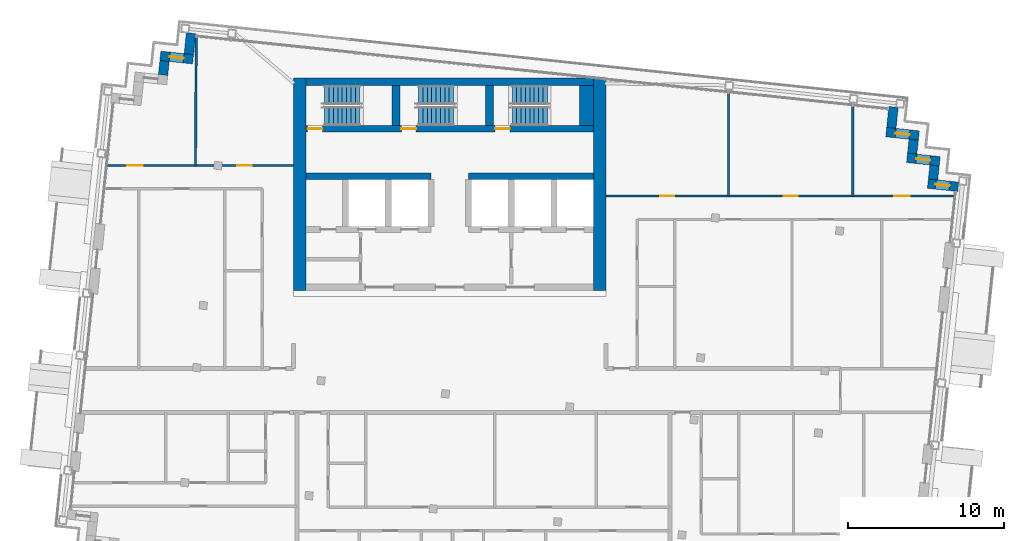
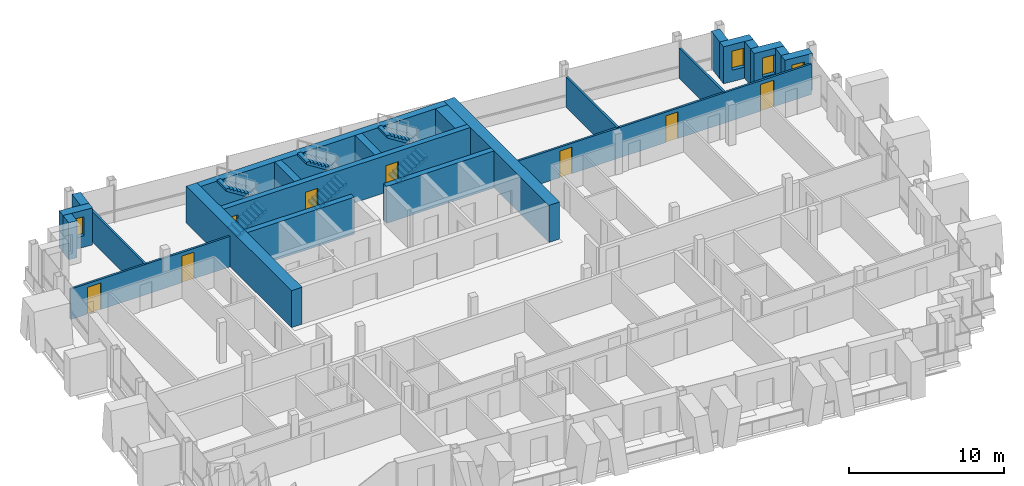
# One storey, part 12 of 16: 23 walls, 8 doors, 6 stair flights, 4 windows, 12 openings, 3 elements without a shape of their own.
"""IFC4 building model written with IfcOpenShell, lengths in metres."""

from ifc_helpers import new_model, si_unit, direction, frame, frame_2d, origin, place, context, subcontext, project, spatial, polyline, rectangle, outline, extrude, material, layer, layer_set, type_object, element, fill, aggregate, save


model = new_model("IFC4")

# Units and contexts
model_context = context("Model", 3, precision=1e-05, world=origin(), true_north=direction((0.0, 1.0)))
body_context = subcontext(model_context, "Body", "Model", "MODEL_VIEW")
ifc_project = project(units=[si_unit("LENGTHUNIT", "METRE"), si_unit("AREAUNIT", "SQUARE_METRE"), si_unit("VOLUMEUNIT", "CUBIC_METRE"), si_unit("PLANEANGLEUNIT", "RADIAN"), si_unit("MASSUNIT", "GRAM", prefix="KILO")], contexts=[model_context])

# Site, building, storey
site_placement = place(None, origin())
site = spatial("IfcSite", under=ifc_project, at=site_placement, CompositionType="ELEMENT")
building_placement = place(site_placement, origin())
building = spatial("IfcBuilding", under=site, at=building_placement, Name="Vidyagriha Tower", CompositionType="ELEMENT")
storey_placement = place(building_placement, frame((0.0, 0.0, 259.5)))
storey = spatial("IfcBuildingStorey", under=building, at=storey_placement, Name="L67", CompositionType="ELEMENT", Elevation=259.5)

# Wall, opening, window
ifc_material_1 = material(Name="Precast concrete C40/50 with brick facing", Category="concrete")
ifc_layer_1 = layer(ifc_material_1, 0.60009765625)
ifc_layer_set_1 = layer_set([ifc_layer_1], Name="Precast concrete C40/50 with brick facing")
wall_type_1 = type_object("IfcWallType", Name="Brick-faced precast wall 600", PredefinedType="STANDARD", material=ifc_layer_set_1)
wall_1_placement = place(storey_placement, frame((32.536376953125, 13.03125, 0.0), z_axis=(0.0, 0.0, 1.0), x_axis=(-0.994534226826, 0.104411070641, 0.0)))
wall_1 = element("IfcWall", 1, at=wall_1_placement, inside=storey, type_object=wall_type_1, Name="Stepped corner wall L67 R01", PredefinedType="STANDARD", context=body_context, shape_type="SweptSolid", body=[
    extrude(rectangle(XDim=1.9501953125, YDim=0.60009765625, at=frame_2d((0.97509765625, 0.0))), origin(), (0.0, 0.0, 1.0), 2.919921875),
])
opening_1_placement = place(wall_1_placement, frame((0.559814453125, 0.0, 0.89990234375)))
opening_1 = element("IfcOpeningElement", 2, at=opening_1_placement, cuts=wall_1, Name="Opening WN1", PredefinedType="OPENING", context=body_context, shape_type="SweptSolid", body=[
    extrude(rectangle(XDim=0.89990234375, YDim=1.5, at=frame_2d((0.449951171875, 0.75))), frame((0.0, 0.31005859375, 0.0), z_axis=(0.0, -1.0, 0.0), x_axis=(1.0, 0.0, 0.0)), (0.0, 0.0, 1.0), 0.6201171875),
])
ifc_material_2 = material(Name="Aluminium and glass window", Category="aluminium")
window_type = type_object("IfcWindowType", Name="Reveal window 900x1500", PartitioningType="NOTDEFINED", PredefinedType="WINDOW", material=ifc_material_2)
window_1_placement = place(opening_1_placement, origin())
window_1 = element("IfcWindow", 3, at=window_1_placement, inside=storey, type_object=window_type, Name="Reveal window L67 R01", OverallHeight=1.5, OverallWidth=0.89990234375, PartitioningType="SINGLE_PANEL", PredefinedType="WINDOW", context=body_context, shape_type="SweptSolid", body=[
    extrude(rectangle(XDim=0.89990234375, YDim=1.5, at=frame_2d((0.449951171875, 0.75))), frame((0.0, 0.030029296875, 0.0), z_axis=(0.0, -1.0, 0.0), x_axis=(1.0, 0.0, 0.0)), (0.0, 0.0, 1.0), 0.06005859375),
])
fill(opening_1, window_1)

# Wall
wall_2_placement = place(storey_placement, frame((30.9267578125, 13.501953125, 0.0), z_axis=(0.0, 0.0, 1.0), x_axis=(0.104416541099, 0.994533652495, 0.0)))
element("IfcWall", 4, at=wall_2_placement, inside=storey, type_object=wall_type_1, Name="Stepped corner wall L67 R02", PredefinedType="STANDARD", context=body_context, shape_type="SweptSolid", body=[
    extrude(rectangle(XDim=0.900146484375, YDim=0.60009765625, at=frame_2d((0.4501953125, 0.0))), origin(), (0.0, 0.0, 1.0), 2.919921875),
])

# Wall, opening, window
wall_3_placement = place(storey_placement, frame((31.3505859375, 14.6640625, 0.0), z_axis=(0.0, 0.0, 1.0), x_axis=(-0.994523910136, 0.104509292252, 0.0)))
wall_3 = element("IfcWall", 5, at=wall_3_placement, inside=storey, type_object=wall_type_1, Name="Stepped corner wall L67 R03", PredefinedType="STANDARD", context=body_context, shape_type="SweptSolid", body=[
    extrude(rectangle(XDim=2.10009765625, YDim=0.60009765625, at=frame_2d((1.050048828125, 0.0))), origin(), (0.0, 0.0, 1.0), 2.919921875),
])
opening_2_placement = place(wall_3_placement, frame((0.60009765625, 0.0, 0.89990234375)))
opening_2 = element("IfcOpeningElement", 6, at=opening_2_placement, cuts=wall_3, Name="Opening WN1", PredefinedType="OPENING", context=body_context, shape_type="SweptSolid", body=[
    extrude(rectangle(XDim=0.89990234375, YDim=1.5, at=frame_2d((0.449951171875, 0.75))), frame((0.0, 0.31005859375, 0.0), z_axis=(0.0, -1.0, 0.0), x_axis=(1.0, 0.0, 0.0)), (0.0, 0.0, 1.0), 0.6201171875),
])
window_2_placement = place(opening_2_placement, origin())
window_2 = element("IfcWindow", 7, at=window_2_placement, inside=storey, type_object=window_type, Name="Reveal window L67 R03", OverallHeight=1.5, OverallWidth=0.89990234375, PartitioningType="SINGLE_PANEL", PredefinedType="WINDOW", context=body_context, shape_type="SweptSolid", body=[
    extrude(rectangle(XDim=0.89990234375, YDim=1.5, at=frame_2d((0.449951171875, 0.75))), frame((0.0, 0.030029296875, 0.0), z_axis=(0.0, -1.0, 0.0), x_axis=(1.0, 0.0, 0.0)), (0.0, 0.0, 1.0), 0.06005859375),
])
fill(opening_2, window_2)

# Wall
wall_4_placement = place(storey_placement, frame((29.591796875, 15.150634765625, 0.0), z_axis=(0.0, 0.0, 1.0), x_axis=(0.104444712852, 0.994530694326, 0.0)))
element("IfcWall", 8, at=wall_4_placement, inside=storey, type_object=wall_type_1, Name="Stepped corner wall L67 R04", PredefinedType="STANDARD", context=body_context, shape_type="SweptSolid", body=[
    extrude(rectangle(XDim=0.89990234375, YDim=0.60009765625, at=frame_2d((0.449951171875, 0.0))), origin(), (0.0, 0.0, 1.0), 2.919921875),
])

# Wall, opening, window
wall_5_placement = place(storey_placement, frame((30.015380859375, 16.3125, 0.0), z_axis=(0.0, 0.0, 1.0), x_axis=(-0.994510548187, 0.104636368175, 0.0)))
wall_5 = element("IfcWall", 9, at=wall_5_placement, inside=storey, type_object=wall_type_1, Name="Stepped corner wall L67 R05", PredefinedType="STANDARD", context=body_context, shape_type="SweptSolid", body=[
    extrude(rectangle(XDim=2.099853515625, YDim=0.60009765625, at=frame_2d((1.0498046875, 0.0))), origin(), (0.0, 0.0, 1.0), 2.919921875),
])
opening_3_placement = place(wall_5_placement, frame((0.60009765625, 0.0, 0.89990234375)))
opening_3 = element("IfcOpeningElement", 10, at=opening_3_placement, cuts=wall_5, Name="Opening WN1", PredefinedType="OPENING", context=body_context, shape_type="SweptSolid", body=[
    extrude(rectangle(XDim=0.89990234375, YDim=1.5, at=frame_2d((0.449951171875, 0.75))), frame((0.0, 0.31005859375, 0.0), z_axis=(0.0, -1.0, 0.0), x_axis=(1.0, 0.0, 0.0)), (0.0, 0.0, 1.0), 0.6201171875),
])
window_3_placement = place(opening_3_placement, origin())
window_3 = element("IfcWindow", 11, at=window_3_placement, inside=storey, type_object=window_type, Name="Reveal window L67 R05", OverallHeight=1.5, OverallWidth=0.89990234375, PartitioningType="SINGLE_PANEL", PredefinedType="WINDOW", context=body_context, shape_type="SweptSolid", body=[
    extrude(rectangle(XDim=0.89990234375, YDim=1.5, at=frame_2d((0.449951171875, 0.75))), frame((0.0, 0.030029296875, 0.0), z_axis=(0.0, -1.0, 0.0), x_axis=(1.0, 0.0, 0.0)), (0.0, 0.0, 1.0), 0.06005859375),
])
fill(opening_3, window_3)

# Walls
wall_6_placement = place(storey_placement, frame((28.256591796875, 16.79931640625, 0.0), z_axis=(0.0, 0.0, 1.0), x_axis=(0.104534153452, 0.994521297289, 0.0)))
element("IfcWall", 12, at=wall_6_placement, inside=storey, type_object=wall_type_1, Name="Stepped corner wall L67 R06", PredefinedType="STANDARD", context=body_context, shape_type="SweptSolid", body=[
    extrude(rectangle(XDim=1.349853515625, YDim=0.60009765625, at=frame_2d((0.6748046875, 0.0))), origin(), (0.0, 0.0, 1.0), 2.919921875),
])
wall_7_placement = place(storey_placement, frame((-16.5546875, 22.866455078125, 0.0), z_axis=(0.0, 0.0, 1.0), x_axis=(-0.104515354875, -0.994523273029, 0.0)))
element("IfcWall", 13, at=wall_7_placement, inside=storey, type_object=wall_type_1, Name="Stepped corner wall L67 R08", PredefinedType="STANDARD", context=body_context, shape_type="SweptSolid", body=[
    extrude(rectangle(XDim=1.35009765625, YDim=0.60009765625, at=frame_2d((0.675048828125, 0.0))), origin(), (0.0, 0.0, 1.0), 2.919921875),
])

# Wall, opening, window
wall_8_placement = place(storey_placement, frame((-16.4287109375, 21.194091796875, 0.0), z_axis=(0.0, 0.0, 1.0), x_axis=(-0.994522640205, 0.104521376379, 0.0)))
wall_8 = element("IfcWall", 14, at=wall_8_placement, inside=storey, type_object=wall_type_1, Name="Stepped corner wall L67 R09", PredefinedType="STANDARD", context=body_context, shape_type="SweptSolid", body=[
    extrude(rectangle(XDim=2.099853515625, YDim=0.60009765625, at=frame_2d((1.0498046875, 0.0))), origin(), (0.0, 0.0, 1.0), 2.919921875),
])
opening_4_placement = place(wall_8_placement, frame((0.599853515625, 0.0, 0.89990234375)))
opening_4 = element("IfcOpeningElement", 15, at=opening_4_placement, cuts=wall_8, Name="Opening WN1", PredefinedType="OPENING", context=body_context, shape_type="SweptSolid", body=[
    extrude(rectangle(XDim=0.89990234375, YDim=1.5, at=frame_2d((0.449951171875, 0.75))), frame((0.0, 0.31005859375, 0.0), z_axis=(0.0, -1.0, 0.0), x_axis=(1.0, 0.0, 0.0)), (0.0, 0.0, 1.0), 0.6201171875),
])
window_4_placement = place(opening_4_placement, origin())
window_4 = element("IfcWindow", 16, at=window_4_placement, inside=storey, type_object=window_type, Name="Reveal window L67 R09", OverallHeight=1.5, OverallWidth=0.89990234375, PartitioningType="SINGLE_PANEL", PredefinedType="WINDOW", context=body_context, shape_type="SweptSolid", body=[
    extrude(rectangle(XDim=0.89990234375, YDim=1.5, at=frame_2d((0.449951171875, 0.75))), frame((0.0, 0.030029296875, 0.0), z_axis=(0.0, -1.0, 0.0), x_axis=(1.0, 0.0, 0.0)), (0.0, 0.0, 1.0), 0.06005859375),
])
fill(opening_4, window_4)

# Walls
wall_9_placement = place(storey_placement, frame((-18.250244140625, 21.083984375, 0.0), z_axis=(0.0, 0.0, 1.0), x_axis=(-0.104416541099, -0.994533652495, 0.0)))
element("IfcWall", 17, at=wall_9_placement, inside=storey, type_object=wall_type_1, Name="Stepped corner wall L67 R10", PredefinedType="STANDARD", context=body_context, shape_type="SweptSolid", body=[
    extrude(rectangle(XDim=0.900146484375, YDim=0.60009765625, at=frame_2d((0.4501953125, 0.0))), origin(), (0.0, 0.0, 1.0), 2.919921875),
])
ifc_material_3 = material(Name="Concrete C60/75", Category="concrete")
ifc_layer_2 = layer(ifc_material_3, 0.39990234375)
ifc_layer_set_2 = layer_set([ifc_layer_2], Name="Concrete C60/75")
wall_type_2 = type_object("IfcWallType", Name="Core shear wall 400 mm", PredefinedType="SHEAR", material=ifc_layer_set_2)
for number, where, name in (
    (18, (-9.199951171875, 13.699951171875, 0.0), "Core row N rear wall"),
    (19, (1.199951171875, 13.699951171875, 0.0), "Core row N rear wall"),
):
    element("IfcWall", number, at=place(storey_placement, frame(where)), inside=storey, type_object=wall_type_2, Name=name, PredefinedType="SHEAR", context=body_context, shape_type="SweptSolid", body=[
        extrude(rectangle(XDim=8.0, YDim=0.39990234375, at=frame_2d((4.0, 0.0))), origin(), (0.0, 0.0, 1.0), 2.919921875),
    ])

# Wall, openings, doors
wall_10_placement = place(storey_placement, frame((-9.199951171875, 16.75, 0.0)))
wall_10 = element("IfcWall", 20, at=wall_10_placement, inside=storey, type_object=wall_type_2, Name="Stair front wall", PredefinedType="SHEAR", context=body_context, shape_type="SweptSolid", body=[
    extrude(rectangle(XDim=18.39990234375, YDim=0.39990234375, at=frame_2d((9.199951171875, 0.0))), origin(), (0.0, 0.0, 1.0), 2.919921875),
])
opening_5_placement = place(wall_10_placement, frame((0.10009765625, 0.0, 0.0)))
opening_5 = element("IfcOpeningElement", 21, at=opening_5_placement, cuts=wall_10, Name="Opening D67-06", PredefinedType="OPENING", context=body_context, shape_type="SweptSolid", body=[
    extrude(rectangle(XDim=0.949951171875, YDim=2.10009765625, at=frame_2d((0.47509765625, 1.050048828125))), frame((0.0, 0.2099609375, 0.0), z_axis=(0.0, -1.0, 0.0), x_axis=(1.0, 0.0, 0.0)), (0.0, 0.0, 1.0), 0.419921875),
])
opening_6_placement = place(wall_10_placement, frame((6.10009765625, 0.0, 0.0)))
opening_6 = element("IfcOpeningElement", 22, at=opening_6_placement, cuts=wall_10, Name="Opening D67-07", PredefinedType="OPENING", context=body_context, shape_type="SweptSolid", body=[
    extrude(rectangle(XDim=0.949951171875, YDim=2.10009765625, at=frame_2d((0.47509765625, 1.050048828125))), frame((0.0, 0.2099609375, 0.0), z_axis=(0.0, -1.0, 0.0), x_axis=(1.0, 0.0, 0.0)), (0.0, 0.0, 1.0), 0.419921875),
])
opening_7_placement = place(wall_10_placement, frame((12.10009765625, 0.0, 0.0)))
opening_7 = element("IfcOpeningElement", 23, at=opening_7_placement, cuts=wall_10, Name="Opening D67-08", PredefinedType="OPENING", context=body_context, shape_type="SweptSolid", body=[
    extrude(rectangle(XDim=0.949951171875, YDim=2.10009765625, at=frame_2d((0.47509765625, 1.050048828125))), frame((0.0, 0.2099609375, 0.0), z_axis=(0.0, -1.0, 0.0), x_axis=(1.0, 0.0, 0.0)), (0.0, 0.0, 1.0), 0.419921875),
])
ifc_material_4 = material(Name="Hollow metal door leaf")
door_type_1 = type_object("IfcDoorType", Name="Exit stair door 950 x 2100 mm EI 90", OperationType="NOTDEFINED", PredefinedType="DOOR", material=ifc_material_4)
door_1_placement = place(opening_5_placement, origin())
door_1 = element("IfcDoor", 24, at=door_1_placement, inside=storey, type_object=door_type_1, Name="Stair door ST1 L67", OperationType="SINGLE_SWING_LEFT", OverallHeight=2.10009765625, OverallWidth=0.949951171875, PredefinedType="DOOR", context=body_context, shape_type="SweptSolid", body=[
    extrude(rectangle(XDim=0.949951171875, YDim=2.10009765625, at=frame_2d((0.47509765625, 1.050048828125))), frame((0.0, 0.02490234375, 0.0), z_axis=(0.0, -1.0, 0.0), x_axis=(1.0, 0.0, 0.0)), (0.0, 0.0, 1.0), 0.050048828125),
])
fill(opening_5, door_1)
door_2_placement = place(opening_6_placement, origin())
door_2 = element("IfcDoor", 25, at=door_2_placement, inside=storey, type_object=door_type_1, Name="Stair door ST2 L67", OperationType="SINGLE_SWING_LEFT", OverallHeight=2.10009765625, OverallWidth=0.949951171875, PredefinedType="DOOR", context=body_context, shape_type="SweptSolid", body=[
    extrude(rectangle(XDim=0.949951171875, YDim=2.10009765625, at=frame_2d((0.47509765625, 1.050048828125))), frame((0.0, 0.02490234375, 0.0), z_axis=(0.0, -1.0, 0.0), x_axis=(1.0, 0.0, 0.0)), (0.0, 0.0, 1.0), 0.050048828125),
])
fill(opening_6, door_2)
door_3_placement = place(opening_7_placement, origin())
door_3 = element("IfcDoor", 26, at=door_3_placement, inside=storey, type_object=door_type_1, Name="Stair door ST3 L67", OperationType="SINGLE_SWING_LEFT", OverallHeight=2.10009765625, OverallWidth=0.949951171875, PredefinedType="DOOR", context=body_context, shape_type="SweptSolid", body=[
    extrude(rectangle(XDim=0.949951171875, YDim=2.10009765625, at=frame_2d((0.47509765625, 1.050048828125))), frame((0.0, 0.02490234375, 0.0), z_axis=(0.0, -1.0, 0.0), x_axis=(1.0, 0.0, 0.0)), (0.0, 0.0, 1.0), 0.050048828125),
])
fill(opening_7, door_3)

# Walls
ifc_material_5 = material(Name="Concrete C60/75", Category="concrete")
ifc_layer_3 = layer(ifc_material_5, 0.5)
ifc_layer_set_3 = layer_set([ifc_layer_3], Name="Concrete C60/75")
wall_type_3 = type_object("IfcWallType", Name="Core shear wall 500 mm", PredefinedType="SHEAR", material=ifc_layer_set_3)
wall_11_placement = place(storey_placement, frame((-9.199951171875, 19.75, 0.0)))
element("IfcWall", 27, at=wall_11_placement, inside=storey, type_object=wall_type_3, Name="Core north wall", PredefinedType="SHEAR", context=body_context, shape_type="SweptSolid", body=[
    extrude(rectangle(XDim=18.39990234375, YDim=0.5, at=frame_2d((9.199951171875, 0.0))), origin(), (0.0, 0.0, 1.0), 2.919921875),
])
for number, where, z_axis, x_axis, name in (
    (28, (-3.449951171875, 16.949951171875, 0.0), (0.0, 0.0, 1.0), (0.0, 1.0, 0.0), "Stair partition wall 1"),
    (29, (2.550048828125, 16.949951171875, 0.0), (0.0, 0.0, 1.0), (0.0, 1.0, 0.0), "Stair partition wall 2"),
):
    element("IfcWall", number, at=place(storey_placement, frame(where, z_axis=z_axis, x_axis=x_axis)), inside=storey, type_object=wall_type_3, Name=name, PredefinedType="SHEAR", context=body_context, shape_type="SweptSolid", body=[
        extrude(rectangle(XDim=2.550048828125, YDim=0.5, at=frame_2d((1.27490234375, 0.0))), origin(), (0.0, 0.0, 1.0), 2.919921875),
    ])
ifc_material_6 = material(Name="Concrete C60/75", Category="concrete")
ifc_layer_4 = layer(ifc_material_6, 0.800048828125)
ifc_layer_set_4 = layer_set([ifc_layer_4], Name="Concrete C60/75")
wall_type_4 = type_object("IfcWallType", Name="Core shear wall 800 mm", PredefinedType="SHEAR", material=ifc_layer_set_4)
for number, where, z_axis, x_axis, name in (
    (30, (-9.60009765625, 6.39990234375, 0.0), (0.0, 0.0, 1.0), (0.0, 1.0, 0.0), "Core west wall"),
    (31, (9.60009765625, 6.39990234375, 0.0), (0.0, 0.0, 1.0), (0.0, 1.0, 0.0), "Core east wall"),
):
    element("IfcWall", number, at=place(storey_placement, frame(where, z_axis=z_axis, x_axis=x_axis)), inside=storey, type_object=wall_type_4, Name=name, PredefinedType="SHEAR", context=body_context, shape_type="SweptSolid", body=[
        extrude(rectangle(XDim=13.60009765625, YDim=0.800048828125, at=frame_2d((6.800048828125, 0.0))), origin(), (0.0, 0.0, 1.0), 2.919921875),
    ])
ifc_material_7 = material(Name="Concrete C60/75", Category="concrete")
ifc_layer_5 = layer(ifc_material_7, 0.89990234375)
ifc_layer_set_5 = layer_set([ifc_layer_5], Name="Concrete C60/75")
wall_type_5 = type_object("IfcWallType", Name="Core shear wall 900 mm", PredefinedType="SHEAR", material=ifc_layer_set_5)
wall_12_placement = place(storey_placement, frame((8.75, 16.949951171875, 0.0), z_axis=(0.0, 0.0, 1.0), x_axis=(0.0, 1.0, 0.0)))
element("IfcWall", 32, at=wall_12_placement, inside=storey, type_object=wall_type_5, Name="Stair end wall", PredefinedType="SHEAR", context=body_context, shape_type="SweptSolid", body=[
    extrude(rectangle(XDim=2.550048828125, YDim=0.89990234375, at=frame_2d((1.27490234375, 0.0))), origin(), (0.0, 0.0, 1.0), 2.919921875),
])

# Wall, openings, doors
ifc_material_8 = material(Name="Gypsum board partition")
ifc_layer_6 = layer(ifc_material_8, 0.14990234375)
ifc_layer_set_6 = layer_set([ifc_layer_6], Name="Gypsum board partition")
wall_type_6 = type_object("IfcWallType", Name="Gypsum board partition 150", PredefinedType="PARTITIONING", material=ifc_layer_set_6)
wall_13_placement = place(storey_placement, frame((-21.889892578125, 14.39990234375, 0.0)))
wall_13 = element("IfcWall", 33, at=wall_13_placement, inside=storey, type_object=wall_type_6, Name="Wall all-L67-w068", PredefinedType="PARTITIONING", context=body_context, shape_type="SweptSolid", body=[
    extrude(rectangle(XDim=11.889892578125, YDim=0.14990234375, at=frame_2d((5.94482421875, 0.0))), origin(), (0.0, 0.0, 1.0), 2.39990234375),
])
opening_8_placement = place(wall_13_placement, frame((1.259765625, 0.0, 0.0)))
opening_8 = element("IfcOpeningElement", 34, at=opening_8_placement, cuts=wall_13, Name="Opening D67-41", PredefinedType="OPENING", context=body_context, shape_type="SweptSolid", body=[
    extrude(rectangle(XDim=1.0, YDim=2.10009765625, at=frame_2d((0.5, 1.050048828125))), frame((0.0, 0.0849609375, 0.0), z_axis=(0.0, -1.0, 0.0), x_axis=(1.0, 0.0, 0.0)), (0.0, 0.0, 1.0), 0.169921875),
])
opening_9_placement = place(wall_13_placement, frame((8.3037109375, 0.0, 0.0)))
opening_9 = element("IfcOpeningElement", 35, at=opening_9_placement, cuts=wall_13, Name="Opening D67-42", PredefinedType="OPENING", context=body_context, shape_type="SweptSolid", body=[
    extrude(rectangle(XDim=0.89990234375, YDim=2.10009765625, at=frame_2d((0.449951171875, 1.050048828125))), frame((0.0, 0.0849609375, 0.0), z_axis=(0.0, -1.0, 0.0), x_axis=(1.0, 0.0, 0.0)), (0.0, 0.0, 1.0), 0.169921875),
])
ifc_material_9 = material(Name="Timber door leaf", Category="wood")
door_type_2 = type_object("IfcDoorType", Name="Room door 1000x2100", OperationType="NOTDEFINED", PredefinedType="DOOR", material=ifc_material_9)
door_4_placement = place(opening_8_placement, origin())
door_4 = element("IfcDoor", 36, at=door_4_placement, inside=storey, type_object=door_type_2, Name="Door D67-41", OperationType="SINGLE_SWING_LEFT", OverallHeight=2.10009765625, OverallWidth=1.0, PredefinedType="DOOR", context=body_context, shape_type="SweptSolid", body=[
    extrude(rectangle(XDim=1.0, YDim=2.10009765625, at=frame_2d((0.5, 1.050048828125))), frame((0.0, 0.02490234375, 0.0), z_axis=(0.0, -1.0, 0.0), x_axis=(1.0, 0.0, 0.0)), (0.0, 0.0, 1.0), 0.050048828125),
])
fill(opening_8, door_4)
ifc_material_10 = material(Name="Timber door leaf", Category="wood")
door_type_3 = type_object("IfcDoorType", Name="Room door 900x2100", OperationType="NOTDEFINED", PredefinedType="DOOR", material=ifc_material_10)
door_5_placement = place(opening_9_placement, origin())
door_5 = element("IfcDoor", 37, at=door_5_placement, inside=storey, type_object=door_type_3, Name="Door D67-42", OperationType="SINGLE_SWING_RIGHT", OverallHeight=2.10009765625, OverallWidth=0.89990234375, PredefinedType="DOOR", context=body_context, shape_type="SweptSolid", body=[
    extrude(rectangle(XDim=0.89990234375, YDim=2.10009765625, at=frame_2d((0.449951171875, 1.050048828125))), frame((0.0, 0.02490234375, 0.0), z_axis=(0.0, -1.0, 0.0), x_axis=(1.0, 0.0, 0.0)), (0.0, 0.0, 1.0), 0.050048828125),
])
fill(opening_9, door_5)

# Wall
wall_14_placement = place(storey_placement, frame((-16.221923828125, 22.6103515625, 0.0), z_axis=(0.0, 0.0, 1.0), x_axis=(-0.006095634594, -0.999981421447, 0.0)))
element("IfcWall", 38, at=wall_14_placement, inside=storey, type_object=wall_type_6, Name="Wall all-L67-w071", PredefinedType="PARTITIONING", context=body_context, shape_type="SweptSolid", body=[
    extrude(rectangle(XDim=8.210693359375, YDim=0.14990234375, at=frame_2d((4.10546875, 0.0))), origin(), (0.0, 0.0, 1.0), 2.39990234375),
])

# Wall, openings, doors
wall_15_placement = place(storey_placement, frame((10.0, 12.443359375, 0.0)))
wall_15 = element("IfcWall", 39, at=wall_15_placement, inside=storey, type_object=wall_type_6, Name="Wall all-L67-w085", PredefinedType="PARTITIONING", context=body_context, shape_type="SweptSolid", body=[
    extrude(rectangle(XDim=22.244140625, YDim=0.14990234375, at=frame_2d((11.1220703125, 0.0))), origin(), (0.0, 0.0, 1.0), 2.39990234375),
])
opening_10_placement = place(wall_15_placement, frame((3.47021484375, 0.0, 0.0)))
opening_10 = element("IfcOpeningElement", 40, at=opening_10_placement, cuts=wall_15, Name="Opening D67-49", PredefinedType="OPENING", context=body_context, shape_type="SweptSolid", body=[
    extrude(rectangle(XDim=0.89990234375, YDim=2.10009765625, at=frame_2d((0.449951171875, 1.050048828125))), frame((0.0, 0.0849609375, 0.0), z_axis=(0.0, -1.0, 0.0), x_axis=(1.0, 0.0, 0.0)), (0.0, 0.0, 1.0), 0.169921875),
])
opening_11_placement = place(wall_15_placement, frame((11.368408203125, 0.0, 0.0)))
opening_11 = element("IfcOpeningElement", 41, at=opening_11_placement, cuts=wall_15, Name="Opening D67-50", PredefinedType="OPENING", context=body_context, shape_type="SweptSolid", body=[
    extrude(rectangle(XDim=0.89990234375, YDim=2.10009765625, at=frame_2d((0.449951171875, 1.050048828125))), frame((0.0, 0.0849609375, 0.0), z_axis=(0.0, -1.0, 0.0), x_axis=(1.0, 0.0, 0.0)), (0.0, 0.0, 1.0), 0.169921875),
])
opening_12_placement = place(wall_15_placement, frame((18.4267578125, 0.0, 0.0)))
opening_12 = element("IfcOpeningElement", 42, at=opening_12_placement, cuts=wall_15, Name="Opening D67-51", PredefinedType="OPENING", context=body_context, shape_type="SweptSolid", body=[
    extrude(rectangle(XDim=1.0, YDim=2.10009765625, at=frame_2d((0.5, 1.050048828125))), frame((0.0, 0.0849609375, 0.0), z_axis=(0.0, -1.0, 0.0), x_axis=(1.0, 0.0, 0.0)), (0.0, 0.0, 1.0), 0.169921875),
])
door_6_placement = place(opening_12_placement, origin())
door_6 = element("IfcDoor", 43, at=door_6_placement, inside=storey, type_object=door_type_2, Name="Door D67-51", OperationType="SINGLE_SWING_RIGHT", OverallHeight=2.10009765625, OverallWidth=1.0, PredefinedType="DOOR", context=body_context, shape_type="SweptSolid", body=[
    extrude(rectangle(XDim=1.0, YDim=2.10009765625, at=frame_2d((0.5, 1.050048828125))), frame((0.0, 0.02490234375, 0.0), z_axis=(0.0, -1.0, 0.0), x_axis=(1.0, 0.0, 0.0)), (0.0, 0.0, 1.0), 0.050048828125),
])
fill(opening_12, door_6)
door_7_placement = place(opening_10_placement, origin())
door_7 = element("IfcDoor", 44, at=door_7_placement, inside=storey, type_object=door_type_3, Name="Door D67-49", OperationType="SINGLE_SWING_RIGHT", OverallHeight=2.10009765625, OverallWidth=0.89990234375, PredefinedType="DOOR", context=body_context, shape_type="SweptSolid", body=[
    extrude(rectangle(XDim=0.89990234375, YDim=2.10009765625, at=frame_2d((0.449951171875, 1.050048828125))), frame((0.0, 0.02490234375, 0.0), z_axis=(0.0, -1.0, 0.0), x_axis=(1.0, 0.0, 0.0)), (0.0, 0.0, 1.0), 0.050048828125),
])
fill(opening_10, door_7)
door_8_placement = place(opening_11_placement, origin())
door_8 = element("IfcDoor", 45, at=door_8_placement, inside=storey, type_object=door_type_3, Name="Door D67-50", OperationType="SINGLE_SWING_RIGHT", OverallHeight=2.10009765625, OverallWidth=0.89990234375, PredefinedType="DOOR", context=body_context, shape_type="SweptSolid", body=[
    extrude(rectangle(XDim=0.89990234375, YDim=2.10009765625, at=frame_2d((0.449951171875, 1.050048828125))), frame((0.0, 0.02490234375, 0.0), z_axis=(0.0, -1.0, 0.0), x_axis=(1.0, 0.0, 0.0)), (0.0, 0.0, 1.0), 0.050048828125),
])
fill(opening_11, door_8)

# Walls
wall_16_placement = place(storey_placement, frame((17.840087890625, 19.02099609375, 0.0), z_axis=(0.0, 0.0, 1.0), x_axis=(0.0, -1.0, 0.0)))
element("IfcWall", 46, at=wall_16_placement, inside=storey, type_object=wall_type_6, Name="Wall all-L67-w089", PredefinedType="PARTITIONING", context=body_context, shape_type="SweptSolid", body=[
    extrude(rectangle(XDim=6.57763671875, YDim=0.14990234375, at=frame_2d((3.288818359375, 0.0))), origin(), (0.0, 0.0, 1.0), 2.39990234375),
])
wall_17_placement = place(storey_placement, frame((25.79638671875, 18.184814453125, 0.0), z_axis=(0.0, 0.0, 1.0), x_axis=(0.0, -1.0, 0.0)))
element("IfcWall", 47, at=wall_17_placement, inside=storey, type_object=wall_type_6, Name="Wall all-L67-w090", PredefinedType="PARTITIONING", context=body_context, shape_type="SweptSolid", body=[
    extrude(rectangle(XDim=5.741455078125, YDim=0.14990234375, at=frame_2d((2.87060546875, 0.0))), origin(), (0.0, 0.0, 1.0), 2.39990234375),
])

# Stair, stair flights
ifc_material_11 = material(Name="Concrete C40/50", Category="concrete")
stair_type = type_object("IfcStairType", Name="Exit stair, half-turn, precast flights", PredefinedType="HALF_TURN_STAIR", material=ifc_material_11)
stair_1_placement = place(storey_placement, origin())
stair_1 = element("IfcStair", 48, at=stair_1_placement, inside=storey, type_object=stair_type, Name="L67 Exit Stair ST1", PredefinedType="HALF_TURN_STAIR")
ifc_material_12 = material(Name="Precast concrete C40/50", Category="concrete")
stair_flight_type = type_object("IfcStairFlightType", Name="Exit stair flight 1200 mm, precast", PredefinedType="STRAIGHT", material=ifc_material_12)
stair_flight_1_placement = place(storey_placement, frame((-8.0, 17.550048828125, 0.0)))
stair_flight_1 = element("IfcStairFlight", 49, at=stair_flight_1_placement, type_object=stair_flight_type, Name="ST1 flight 1", NumberOfRisers=9, NumberOfTreads=8, PredefinedType="STRAIGHT", RiserHeight=0.177777778, TreadLength=0.28, context=body_context, shape_type="SweptSolid", body=[
    extrude(outline(polyline([(0.0, 0.0), (0.0, 0.177734375), (0.280029296875, 0.177734375), (0.280029296875, 0.35546875), (0.56005859375, 0.35546875), (0.56005859375, 0.533447265625), (0.840087890625, 0.533447265625), (0.840087890625, 0.711181640625), (1.1201171875, 0.711181640625), (1.1201171875, 0.888916015625), (1.39990234375, 0.888916015625), (1.39990234375, 1.066650390625), (1.679931640625, 1.066650390625), (1.679931640625, 1.244384765625), (1.9599609375, 1.244384765625), (1.9599609375, 1.422119140625), (2.239990234375, 1.422119140625), (2.239990234375, 1.60009765625), (2.239990234375, 1.24462890625), (0.27978515625, 0.0), (0.0, 0.0)])), frame((0.0, 0.60009765625, 0.0), z_axis=(0.0, -1.0, 0.0), x_axis=(1.0, 0.0, 0.0)), (0.0, 0.0, 1.0), 1.199951171875),
])
stair_flight_2_placement = place(storey_placement, frame((-5.760009765625, 18.89990234375, 1.60009765625), z_axis=(0.0, 0.0, 1.0), x_axis=(-1.0, 0.0, 0.0)))
stair_flight_2 = element("IfcStairFlight", 50, at=stair_flight_2_placement, type_object=stair_flight_type, Name="ST1 flight 2", NumberOfRisers=9, NumberOfTreads=8, PredefinedType="STRAIGHT", RiserHeight=0.177777778, TreadLength=0.28, context=body_context, shape_type="SweptSolid", body=[
    extrude(outline(polyline([(0.0, 0.0), (0.0, 0.177734375), (0.280029296875, 0.177734375), (0.280029296875, 0.35546875), (0.56005859375, 0.35546875), (0.56005859375, 0.533447265625), (0.840087890625, 0.533447265625), (0.840087890625, 0.711181640625), (1.1201171875, 0.711181640625), (1.1201171875, 0.888916015625), (1.39990234375, 0.888916015625), (1.39990234375, 1.066650390625), (1.679931640625, 1.066650390625), (1.679931640625, 1.244384765625), (1.9599609375, 1.244384765625), (1.9599609375, 1.422119140625), (2.239990234375, 1.422119140625), (2.239990234375, 1.60009765625), (2.239990234375, 1.24462890625), (0.27978515625, 0.0), (0.0, 0.0)])), frame((0.0, 0.60009765625, 0.0), z_axis=(0.0, -1.0, 0.0), x_axis=(1.0, 0.0, 0.0)), (0.0, 0.0, 1.0), 1.199951171875),
])
aggregate(stair_1, [stair_flight_1, stair_flight_2])

stair_2_placement = place(storey_placement, origin())
stair_2 = element("IfcStair", 51, at=stair_2_placement, inside=storey, type_object=stair_type, Name="L67 Exit Stair ST2", PredefinedType="HALF_TURN_STAIR")
stair_flight_3_placement = place(storey_placement, frame((-2.0, 17.550048828125, 0.0)))
stair_flight_3 = element("IfcStairFlight", 52, at=stair_flight_3_placement, type_object=stair_flight_type, Name="ST2 flight 1", NumberOfRisers=9, NumberOfTreads=8, PredefinedType="STRAIGHT", RiserHeight=0.177777778, TreadLength=0.28, context=body_context, shape_type="SweptSolid", body=[
    extrude(outline(polyline([(0.0, 0.0), (0.0, 0.177734375), (0.280029296875, 0.177734375), (0.280029296875, 0.35546875), (0.56005859375, 0.35546875), (0.56005859375, 0.533447265625), (0.840087890625, 0.533447265625), (0.840087890625, 0.711181640625), (1.1201171875, 0.711181640625), (1.1201171875, 0.888916015625), (1.39990234375, 0.888916015625), (1.39990234375, 1.066650390625), (1.679931640625, 1.066650390625), (1.679931640625, 1.244384765625), (1.9599609375, 1.244384765625), (1.9599609375, 1.422119140625), (2.239990234375, 1.422119140625), (2.239990234375, 1.60009765625), (2.239990234375, 1.24462890625), (0.27978515625, 0.0), (0.0, 0.0)])), frame((0.0, 0.60009765625, 0.0), z_axis=(0.0, -1.0, 0.0), x_axis=(1.0, 0.0, 0.0)), (0.0, 0.0, 1.0), 1.199951171875),
])
stair_flight_4_placement = place(storey_placement, frame((0.239990234375, 18.89990234375, 1.60009765625), z_axis=(0.0, 0.0, 1.0), x_axis=(-1.0, 0.0, 0.0)))
stair_flight_4 = element("IfcStairFlight", 53, at=stair_flight_4_placement, type_object=stair_flight_type, Name="ST2 flight 2", NumberOfRisers=9, NumberOfTreads=8, PredefinedType="STRAIGHT", RiserHeight=0.177777778, TreadLength=0.28, context=body_context, shape_type="SweptSolid", body=[
    extrude(outline(polyline([(0.0, 0.0), (0.0, 0.177734375), (0.280029296875, 0.177734375), (0.280029296875, 0.35546875), (0.56005859375, 0.35546875), (0.56005859375, 0.533447265625), (0.840087890625, 0.533447265625), (0.840087890625, 0.711181640625), (1.1201171875, 0.711181640625), (1.1201171875, 0.888916015625), (1.39990234375, 0.888916015625), (1.39990234375, 1.066650390625), (1.679931640625, 1.066650390625), (1.679931640625, 1.244384765625), (1.9599609375, 1.244384765625), (1.9599609375, 1.422119140625), (2.239990234375, 1.422119140625), (2.239990234375, 1.60009765625), (2.239990234375, 1.24462890625), (0.27978515625, 0.0), (0.0, 0.0)])), frame((0.0, 0.60009765625, 0.0), z_axis=(0.0, -1.0, 0.0), x_axis=(1.0, 0.0, 0.0)), (0.0, 0.0, 1.0), 1.199951171875),
])
aggregate(stair_2, [stair_flight_3, stair_flight_4])

stair_3_placement = place(storey_placement, origin())
stair_3 = element("IfcStair", 54, at=stair_3_placement, inside=storey, type_object=stair_type, Name="L67 Exit Stair ST3", PredefinedType="HALF_TURN_STAIR")
stair_flight_5_placement = place(storey_placement, frame((4.0, 17.550048828125, 0.0)))
stair_flight_5 = element("IfcStairFlight", 55, at=stair_flight_5_placement, type_object=stair_flight_type, Name="ST3 flight 1", NumberOfRisers=9, NumberOfTreads=8, PredefinedType="STRAIGHT", RiserHeight=0.177777778, TreadLength=0.28, context=body_context, shape_type="SweptSolid", body=[
    extrude(outline(polyline([(0.0, 0.0), (0.0, 0.177734375), (0.280029296875, 0.177734375), (0.280029296875, 0.35546875), (0.56005859375, 0.35546875), (0.56005859375, 0.533447265625), (0.840087890625, 0.533447265625), (0.840087890625, 0.711181640625), (1.1201171875, 0.711181640625), (1.1201171875, 0.888916015625), (1.39990234375, 0.888916015625), (1.39990234375, 1.066650390625), (1.679931640625, 1.066650390625), (1.679931640625, 1.244384765625), (1.9599609375, 1.244384765625), (1.9599609375, 1.422119140625), (2.239990234375, 1.422119140625), (2.239990234375, 1.60009765625), (2.239990234375, 1.24462890625), (0.27978515625, 0.0), (0.0, 0.0)])), frame((0.0, 0.60009765625, 0.0), z_axis=(0.0, -1.0, 0.0), x_axis=(1.0, 0.0, 0.0)), (0.0, 0.0, 1.0), 1.199951171875),
])
stair_flight_6_placement = place(storey_placement, frame((6.239990234375, 18.89990234375, 1.60009765625), z_axis=(0.0, 0.0, 1.0), x_axis=(-1.0, 0.0, 0.0)))
stair_flight_6 = element("IfcStairFlight", 56, at=stair_flight_6_placement, type_object=stair_flight_type, Name="ST3 flight 2", NumberOfRisers=9, NumberOfTreads=8, PredefinedType="STRAIGHT", RiserHeight=0.177777778, TreadLength=0.28, context=body_context, shape_type="SweptSolid", body=[
    extrude(outline(polyline([(0.0, 0.0), (0.0, 0.177734375), (0.280029296875, 0.177734375), (0.280029296875, 0.35546875), (0.56005859375, 0.35546875), (0.56005859375, 0.533447265625), (0.840087890625, 0.533447265625), (0.840087890625, 0.711181640625), (1.1201171875, 0.711181640625), (1.1201171875, 0.888916015625), (1.39990234375, 0.888916015625), (1.39990234375, 1.066650390625), (1.679931640625, 1.066650390625), (1.679931640625, 1.244384765625), (1.9599609375, 1.244384765625), (1.9599609375, 1.422119140625), (2.239990234375, 1.422119140625), (2.239990234375, 1.60009765625), (2.239990234375, 1.24462890625), (0.27978515625, 0.0), (0.0, 0.0)])), frame((0.0, 0.60009765625, 0.0), z_axis=(0.0, -1.0, 0.0), x_axis=(1.0, 0.0, 0.0)), (0.0, 0.0, 1.0), 1.199951171875),
])
aggregate(stair_3, [stair_flight_5, stair_flight_6])

save(model, "model.ifc")
